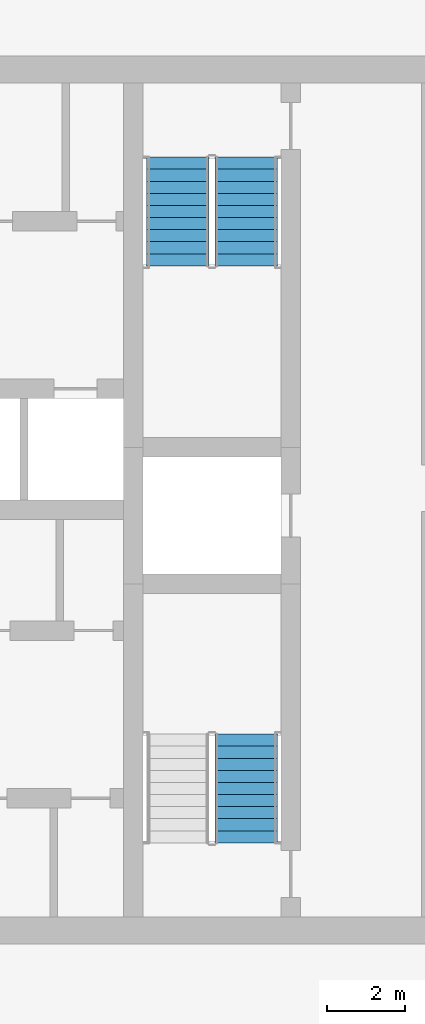
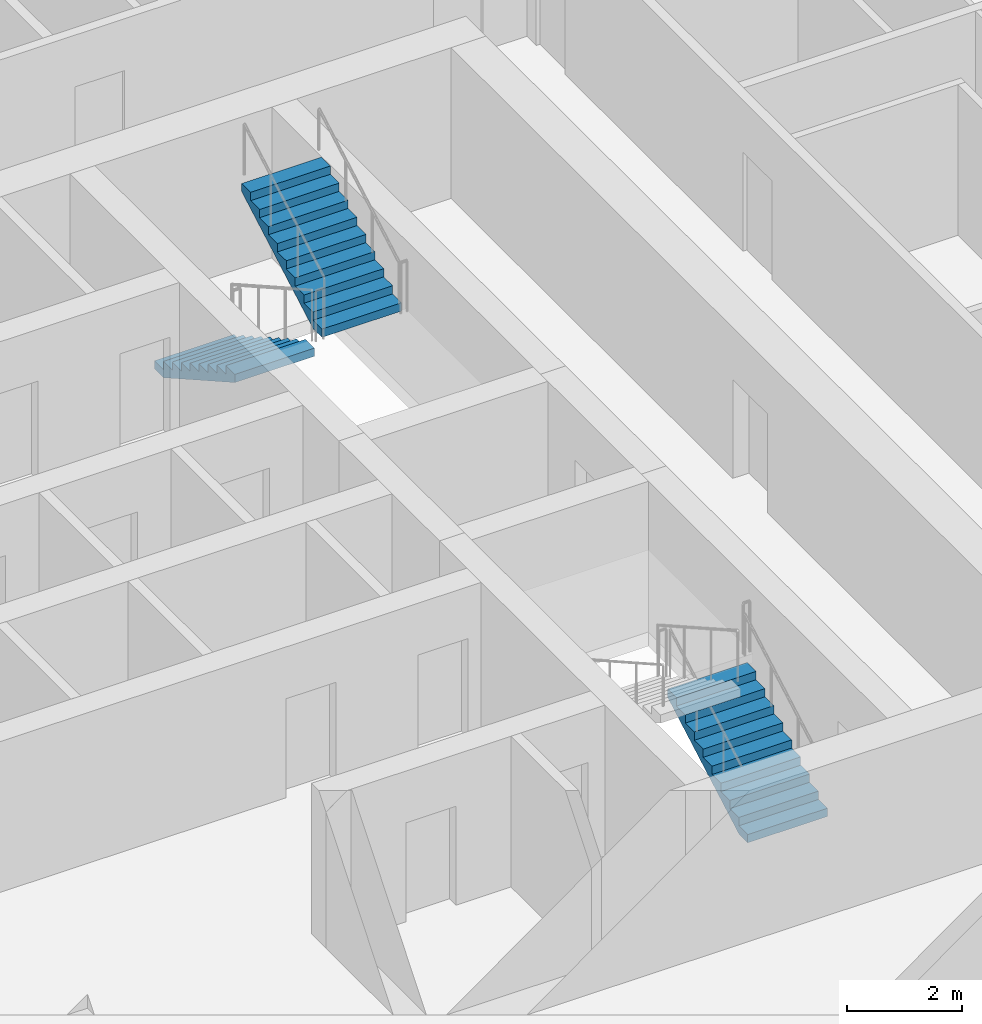
# One storey, part 16 of 23: 3 stair flights, 2 elements without a shape of their own.
"""IFC4 building model written with IfcOpenShell, lengths in metres."""

from ifc_helpers import new_model, si_unit, direction, frame, origin, place, context, subcontext, project, spatial, polyline, outline, extrude, material, type_object, element, aggregate, save


model = new_model("IFC4")

# Units and contexts
model_context = context("Model", 3, precision=1e-05, world=origin(), true_north=direction((0.0, 1.0)))
body_context = subcontext(model_context, "Body", "Model", "MODEL_VIEW")
ifc_project = project(units=[si_unit("LENGTHUNIT", "METRE"), si_unit("AREAUNIT", "SQUARE_METRE"), si_unit("VOLUMEUNIT", "CUBIC_METRE"), si_unit("PLANEANGLEUNIT", "RADIAN"), si_unit("MASSUNIT", "GRAM", prefix="KILO")], contexts=[model_context])

# Site, building, storey
site_placement = place(None, origin())
site = spatial("IfcSite", under=ifc_project, at=site_placement, CompositionType="ELEMENT")
building_placement = place(site_placement, origin())
building = spatial("IfcBuilding", under=site, at=building_placement, Name="Madar Terraces", CompositionType="ELEMENT")
storey_placement = place(building_placement, frame((0.0, 0.0, 215.800048828125)))
storey = spatial("IfcBuildingStorey", under=building, at=storey_placement, Name="L56", CompositionType="ELEMENT", Elevation=215.800048828125)

# Stair, stair flights
ifc_material_1 = material(Name="Concrete C50/60", Category="concrete")
stair_type_1 = type_object("IfcStairType", Name="Stair ST2 protected exit", PredefinedType="HALF_TURN_STAIR", material=ifc_material_1)
stair_1_placement = place(storey_placement, origin())
stair_1 = element("IfcStair", 1, at=stair_1_placement, inside=storey, type_object=stair_type_1, Name="L56 Protected Exit Stair ST2", PredefinedType="HALF_TURN_STAIR")
ifc_material_2 = material(Name="Concrete C50/60", Category="concrete")
stair_flight_type_1 = type_object("IfcStairFlightType", Name="Stair flight ST2-F4, 1600 wide, 10 risers", PredefinedType="STRAIGHT", material=ifc_material_2)
stair_flight_1_placement = place(storey_placement, frame((40.449951171875, 35.199951171875, 0.0), z_axis=(0.0, 0.0, 1.0), x_axis=(0.0, -1.0, 0.0)))
stair_flight_1 = element("IfcStairFlight", 2, at=stair_flight_1_placement, type_object=stair_flight_type_1, Name="ST2 flight 1", NumberOfRisers=10, NumberOfTreads=9, PredefinedType="STRAIGHT", RiserHeight=0.175, TreadLength=0.31, context=body_context, shape_type="SweptSolid", body=[
    extrude(outline(polyline([(0.0, 0.0), (0.0, 0.175048828125), (0.31005859375, 0.175048828125), (0.31005859375, 0.35009765625), (0.6201171875, 0.35009765625), (0.6201171875, 0.52490234375), (0.929931640625, 0.52490234375), (0.929931640625, 0.699951171875), (1.239990234375, 0.699951171875), (1.239990234375, 0.875), (1.550048828125, 0.875), (1.550048828125, 1.050048828125), (1.860107421875, 1.050048828125), (1.860107421875, 1.22509765625), (2.169921875, 1.22509765625), (2.169921875, 1.39990234375), (2.47998046875, 1.39990234375), (2.47998046875, 1.574951171875), (2.7900390625, 1.574951171875), (2.7900390625, 1.75), (2.7900390625, 1.40283203125), (0.304931640625, 0.0), (0.0, 0.0)])), frame((0.0, 0.800048828125, 0.0), z_axis=(0.0, -1.0, 0.0), x_axis=(1.0, 0.0, 0.0)), (0.0, 0.0, 1.0), 1.60009765625),
])
stair_flight_2_placement = place(storey_placement, frame((42.199951171875, 32.409912109375, 1.75), z_axis=(0.0, 0.0, 1.0), x_axis=(0.0, 1.0, 0.0)))
stair_flight_2 = element("IfcStairFlight", 3, at=stair_flight_2_placement, type_object=stair_flight_type_1, Name="ST2 flight 2", NumberOfRisers=10, NumberOfTreads=9, PredefinedType="STRAIGHT", RiserHeight=0.175, TreadLength=0.31, context=body_context, shape_type="SweptSolid", body=[
    extrude(outline(polyline([(0.0, 0.0), (0.0, 0.175048828125), (0.31005859375, 0.175048828125), (0.31005859375, 0.35009765625), (0.6201171875, 0.35009765625), (0.6201171875, 0.52490234375), (0.929931640625, 0.52490234375), (0.929931640625, 0.699951171875), (1.239990234375, 0.699951171875), (1.239990234375, 0.875), (1.550048828125, 0.875), (1.550048828125, 1.050048828125), (1.860107421875, 1.050048828125), (1.860107421875, 1.22509765625), (2.169921875, 1.22509765625), (2.169921875, 1.39990234375), (2.47998046875, 1.39990234375), (2.47998046875, 1.574951171875), (2.7900390625, 1.574951171875), (2.7900390625, 1.75), (2.7900390625, 1.40283203125), (0.304931640625, 0.0), (0.0, 0.0)])), frame((0.0, 0.800048828125, 0.0), z_axis=(0.0, -1.0, 0.0), x_axis=(1.0, 0.0, 0.0)), (0.0, 0.0, 1.0), 1.60009765625),
])
aggregate(stair_1, [stair_flight_1, stair_flight_2])

# Stair, stair flight
ifc_material_3 = material(Name="Concrete C50/60", Category="concrete")
stair_type_2 = type_object("IfcStairType", Name="Stair ST3 protected exit", PredefinedType="HALF_TURN_STAIR", material=ifc_material_3)
stair_2_placement = place(storey_placement, origin())
stair_2 = element("IfcStair", 4, at=stair_2_placement, inside=storey, type_object=stair_type_2, Name="L56 Protected Exit Stair ST3", PredefinedType="HALF_TURN_STAIR")
ifc_material_4 = material(Name="Concrete C50/60", Category="concrete")
stair_flight_type_2 = type_object("IfcStairFlightType", Name="Stair flight ST3-F4, 1600 wide, 10 risers", PredefinedType="STRAIGHT", material=ifc_material_4)
stair_flight_3_placement = place(storey_placement, frame((42.199951171875, 17.60009765625, 0.0), z_axis=(0.0, 0.0, 1.0), x_axis=(0.0, 1.0, 0.0)))
stair_flight_3 = element("IfcStairFlight", 5, at=stair_flight_3_placement, type_object=stair_flight_type_2, Name="ST3 flight 1", NumberOfRisers=10, NumberOfTreads=9, PredefinedType="STRAIGHT", RiserHeight=0.175, TreadLength=0.31, context=body_context, shape_type="SweptSolid", body=[
    extrude(outline(polyline([(0.0, 0.0), (0.0, 0.175048828125), (0.31005859375, 0.175048828125), (0.31005859375, 0.35009765625), (0.6201171875, 0.35009765625), (0.6201171875, 0.52490234375), (0.929931640625, 0.52490234375), (0.929931640625, 0.699951171875), (1.239990234375, 0.699951171875), (1.239990234375, 0.875), (1.550048828125, 0.875), (1.550048828125, 1.050048828125), (1.860107421875, 1.050048828125), (1.860107421875, 1.22509765625), (2.169921875, 1.22509765625), (2.169921875, 1.39990234375), (2.47998046875, 1.39990234375), (2.47998046875, 1.574951171875), (2.7900390625, 1.574951171875), (2.7900390625, 1.75), (2.7900390625, 1.40283203125), (0.304931640625, 0.0), (0.0, 0.0)])), frame((0.0, 0.800048828125, 0.0), z_axis=(0.0, -1.0, 0.0), x_axis=(1.0, 0.0, 0.0)), (0.0, 0.0, 1.0), 1.60009765625),
])
aggregate(stair_2, [stair_flight_3])

save(model, "model.ifc")
